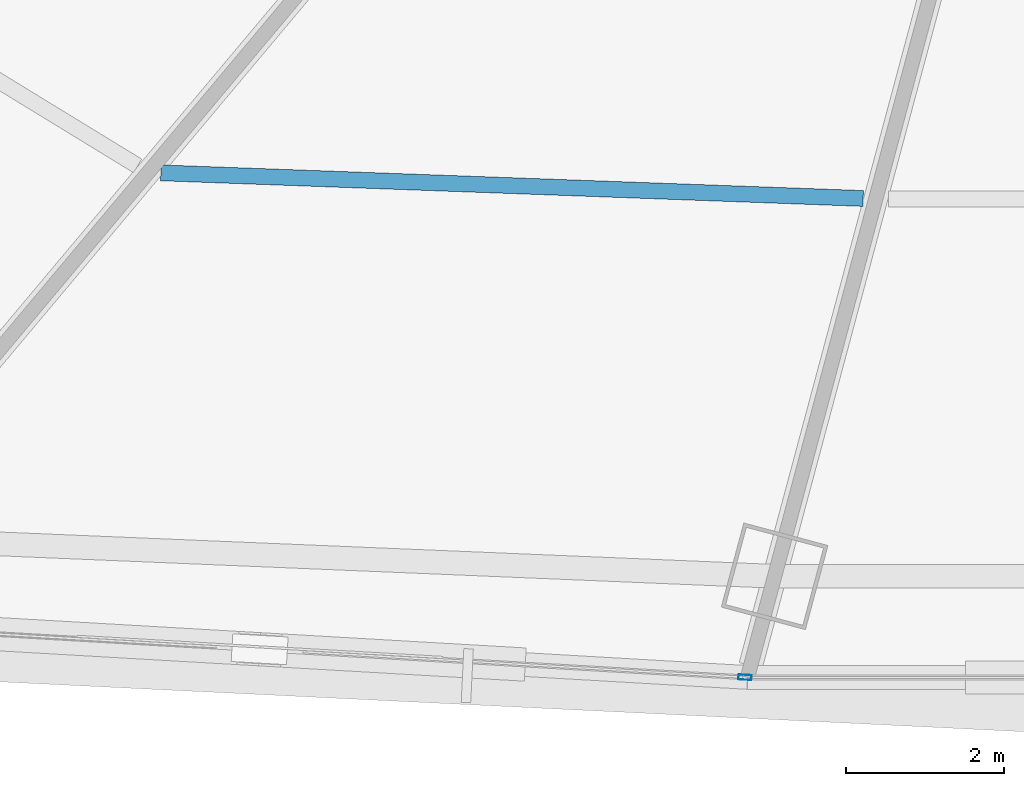
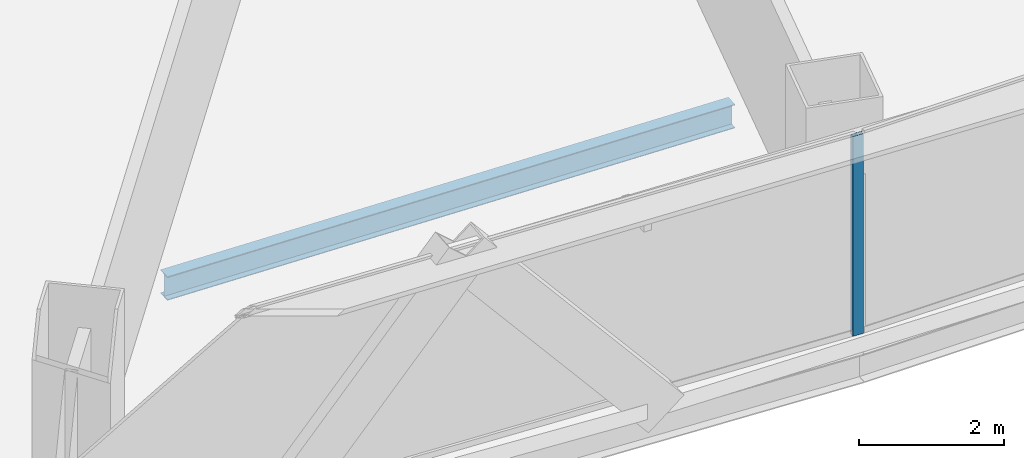
# One storey, part 8 of 37: 1 beam, 1 member, 1 element without a shape of its own.
"""IFC4 building model written with IfcOpenShell, lengths in metres."""

from ifc_helpers import new_model, si_unit, direction, frame, origin, origin_2d, place, context, subcontext, project, spatial, hollow_rectangle, i_section, extrude, source, transform, mapped, material, layer, layer_set, material_profile, profile_set, type_object, element, aggregate, save


model = new_model("IFC4")

# Units and contexts
model_context = context("Model", 3, precision=1e-05, world=origin(), true_north=direction((0.0, 1.0)))
body_context = subcontext(model_context, "Body", "Model", "MODEL_VIEW")
ifc_project = project(units=[si_unit("LENGTHUNIT", "METRE"), si_unit("AREAUNIT", "SQUARE_METRE"), si_unit("VOLUMEUNIT", "CUBIC_METRE"), si_unit("PLANEANGLEUNIT", "RADIAN"), si_unit("MASSUNIT", "GRAM", prefix="KILO"), si_unit("THERMODYNAMICTEMPERATUREUNIT", "KELVIN"), si_unit("POWERUNIT", "WATT")], contexts=[model_context])

# Site, building, storey
site_placement = place(None, origin())
site = spatial("IfcSite", under=ifc_project, at=site_placement, CompositionType="ELEMENT")
building_placement = place(site_placement, origin())
building = spatial("IfcBuilding", under=site, at=building_placement, Name="Yunzhuo Pagoda Commons", CompositionType="ELEMENT")
storey_placement = place(building_placement, frame((0.0, 0.0, 52.179931640625)))
storey = spatial("IfcBuildingStorey", under=building, at=storey_placement, Name="L13", CompositionType="ELEMENT", Elevation=52.179931640625)

# Beam
ifc_material_1 = material(Name="Structural steel Q355B", Category="steel")
ifc_material_profile_1 = material_profile(ifc_material_1, i_section(OverallWidth=0.199951171875, OverallDepth=0.39990234375, WebThickness=0.008056640625, FlangeThickness=0.012939453125, at=origin_2d()), Name="Structural steel Q355B")
ifc_profile_set_1 = profile_set([ifc_material_profile_1], Name="Structural steel Q355B")
beam_type = type_object("IfcBeamType", Name="B-JS1 Joist HN 400x200x8x13", PredefinedType="JOIST", material=ifc_profile_set_1)
shared_shape_1 = source(origin(), body_context, "Body", "SweptSolid", [
    extrude(i_section(OverallWidth=0.199951171875, OverallDepth=0.39990234375, WebThickness=0.008056640625, FlangeThickness=0.012939453125, at=origin_2d()), origin(), (0.0, 0.0, 1.0), 8.876953125),
])
beam_placement = place(storey_placement, frame((34.527099609375, 17.448486328125, -0.4599609375), z_axis=(0.999335806416, -0.036440993601, 0.0), x_axis=(0.036440993601, 0.999335806416, 0.0)))
element("IfcBeam", 1, at=beam_placement, inside=storey, type_object=beam_type, Name="L13 composite ring joist 2.1", PredefinedType="JOIST", context=body_context, shape_type="MappedRepresentation", body=[
    mapped(shared_shape_1, transform((0.0, 0.0, 0.0), scale=1.0)),
])

# Curtain wall, member
ifc_material_2 = material(Name="Anodized aluminium 6063-T6", Category="aluminium")
ifc_layer = layer(ifc_material_2, 0.1650390625)
ifc_layer_set = layer_set([ifc_layer], Name="Anodized aluminium 6063-T6")
curtain_wall_type = type_object("IfcCurtainWallType", Name="CW-LOW Low-Zone Ribbon Curtain Wall", PredefinedType="NOTDEFINED", material=ifc_layer_set)
curtain_wall_placement = place(storey_placement, origin())
curtain_wall = element("IfcCurtainWall", 2, at=curtain_wall_placement, inside=storey, type_object=curtain_wall_type, Name="L13 curtain wall CW-L13-F1B2", PredefinedType="NOTDEFINED")
ifc_material_profile_2 = material_profile(ifc_material_2, hollow_rectangle(XDim=0.06494140625, YDim=0.1650390625, WallThickness=0.00390625, at=origin_2d()), Name="Anodized aluminium 6063-T6")
ifc_profile_set_2 = profile_set([ifc_material_profile_2], Name="Anodized aluminium 6063-T6")
member_type = type_object("IfcMemberType", Name="CW-LOW-M Mullion RHS 165x65x4", PredefinedType="MULLION", material=ifc_profile_set_2)
shared_shape_2 = source(origin(), body_context, "Body", "SweptSolid", [
    extrude(hollow_rectangle(XDim=0.06494140625, YDim=0.1650390625, WallThickness=0.00390625, at=origin_2d()), origin(), (0.0, 0.0, 1.0), 3.3701171875),
])
member_placement = place(storey_placement, frame((41.905029296875, 11.076416015625, 0.0), z_axis=(0.0, 0.0, 1.0), x_axis=(0.057664069997, 0.998336043139, 0.0)))
member = element("IfcMember", 3, at=member_placement, type_object=member_type, Name="CW mullion 2", PredefinedType="MULLION", context=body_context, shape_type="MappedRepresentation", body=[
    mapped(shared_shape_2, transform((0.0, 0.0, 0.0), scale=1.0)),
])
aggregate(curtain_wall, [member])

save(model, "model.ifc")
